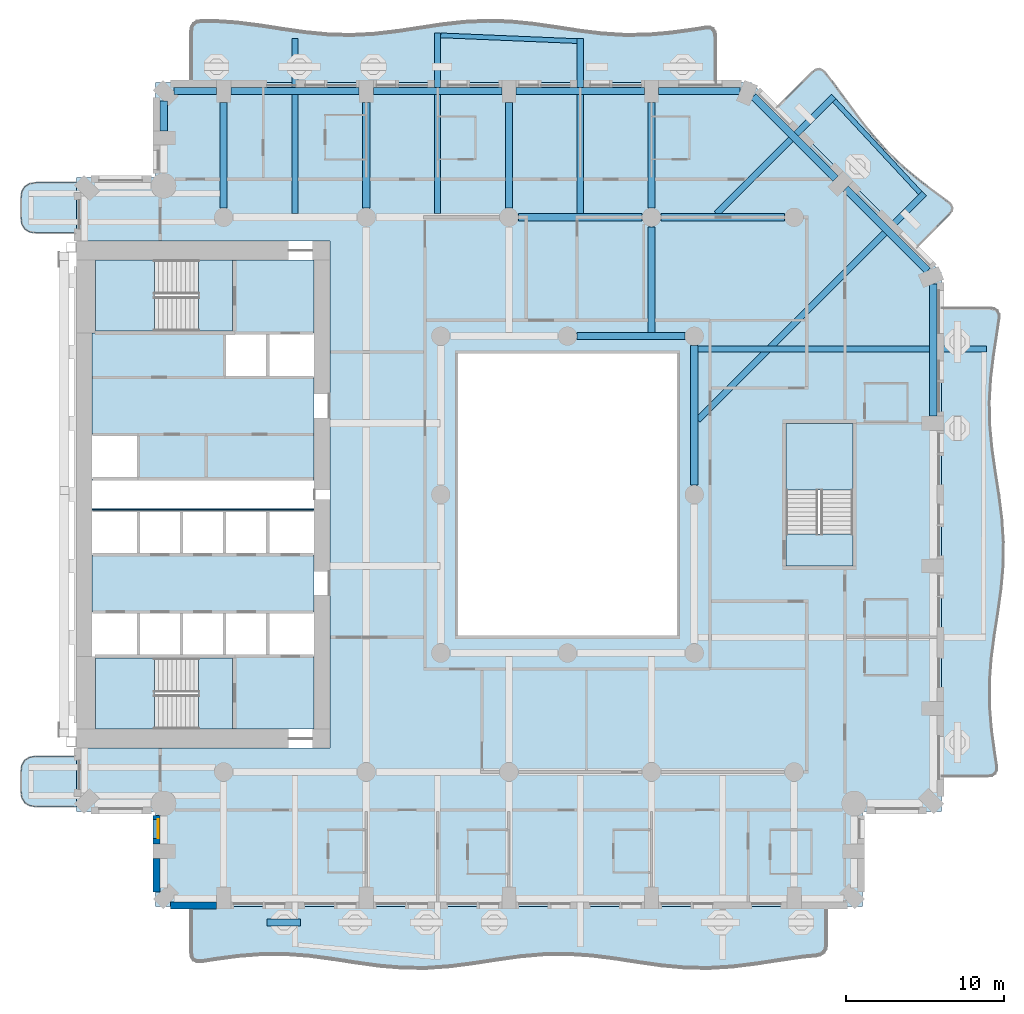
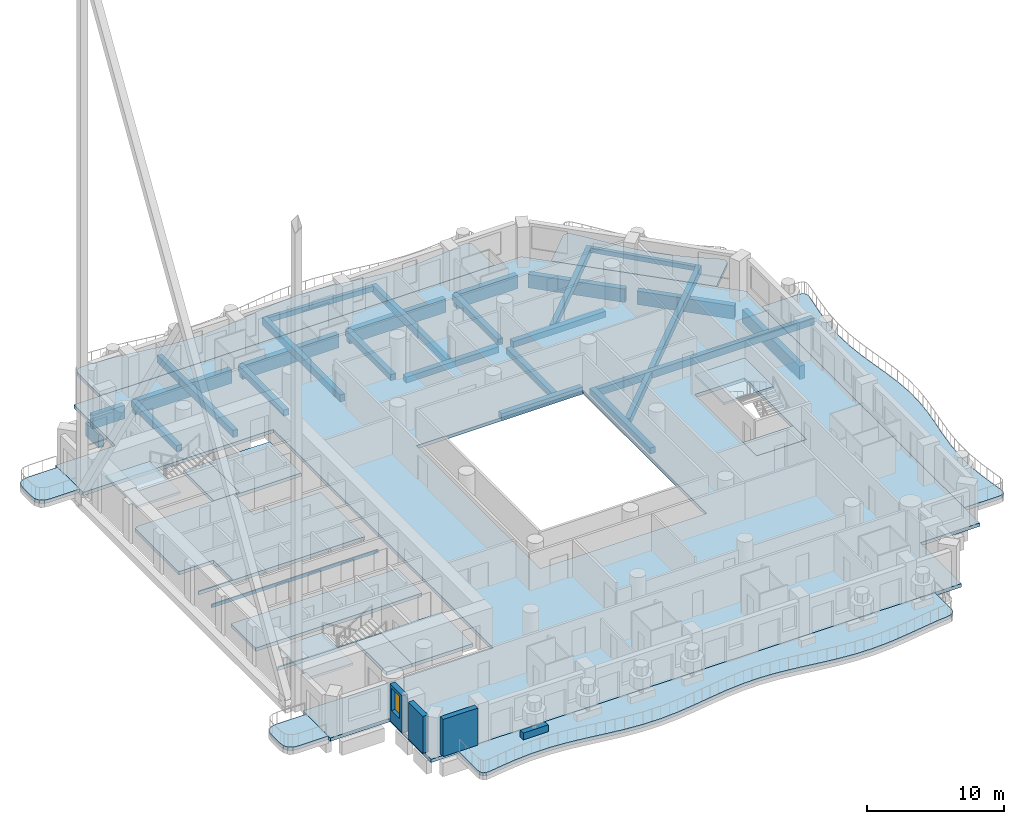
# One storey, part 4 of 24: 26 beams, 17 slabs, 4 walls, 1 window, 1 opening, 3 elements without a shape of their own.
"""IFC4 building model written with IfcOpenShell, lengths in metres."""

from ifc_helpers import new_model, si_unit, direction, frame, frame_2d, origin, origin_2d, place, context, subcontext, project, spatial, polyline, rectangle, outline, extrude, material, layer, layer_set, material_profile, profile_set, type_object, element, fill, aggregate, save


model = new_model("IFC4")

# Units and contexts
model_context = context("Model", 3, precision=1e-05, world=origin(), true_north=direction((0.0, 1.0)))
body_context = subcontext(model_context, "Body", "Model", "MODEL_VIEW")
ifc_project = project(units=[si_unit("LENGTHUNIT", "METRE"), si_unit("AREAUNIT", "SQUARE_METRE"), si_unit("VOLUMEUNIT", "CUBIC_METRE"), si_unit("PLANEANGLEUNIT", "RADIAN"), si_unit("MASSUNIT", "GRAM", prefix="KILO")], contexts=[model_context])

# Site, building, storey
site_placement = place(None, origin())
site = spatial("IfcSite", under=ifc_project, at=site_placement, CompositionType="ELEMENT")
building_placement = place(site_placement, origin())
building = spatial("IfcBuilding", under=site, at=building_placement, Name="Cypress Arch Tower", CompositionType="ELEMENT")
storey_placement = place(building_placement, frame((0.0, 0.0, 102.300048828125)))
storey = spatial("IfcBuildingStorey", under=building, at=storey_placement, Name="L20", CompositionType="ELEMENT", Elevation=102.300048828125)

# Beams
ifc_material_1 = material(Name="Concrete C50/60", Category="concrete")
ifc_material_profile_1 = material_profile(ifc_material_1, rectangle(XDim=0.300048828125, YDim=0.39990234375, at=origin_2d()), Name="RC 300x400")
ifc_profile_set_1 = profile_set([ifc_material_profile_1], Name="Concrete C50/60")
beam_type_1 = type_object("IfcBeamType", Name="Balcony edge beam RC 300x400 Concrete C50/60", PredefinedType="BEAM", material=ifc_profile_set_1)
beam_1_placement = place(storey_placement, frame((23.2587890625, 19.029296875, -0.5), z_axis=(-0.680641499678, 0.732616645263, 0.0), x_axis=(-0.732616645263, -0.680641499678, 0.0)))
element("IfcBeam", 1, at=beam_1_placement, inside=storey, type_object=beam_type_1, Name="Balcony edge beam L20 A07", PredefinedType="BEAM", context=body_context, shape_type="SweptSolid", body=[
    extrude(rectangle(XDim=0.300048828125, YDim=0.39990234375, at=origin_2d()), origin(), (0.0, 0.0, 1.0), 7.966552734375),
])
ifc_material_2 = material(Name="Concrete C50/60", Category="concrete")
ifc_material_profile_2 = material_profile(ifc_material_2, rectangle(XDim=0.300048828125, YDim=0.449951171875, at=origin_2d()), Name="RC 300x450")
ifc_profile_set_2 = profile_set([ifc_material_profile_2], Name="Concrete C50/60")
beam_type_2 = type_object("IfcBeamType", Name="Balcony edge beam RC 300x450 Concrete C50/60", PredefinedType="BEAM", material=ifc_profile_set_2)
beam_2_placement = place(storey_placement, frame((1.60009765625, 28.61865234375, -0.525146484375), z_axis=(-0.999117371021, 0.042005701087, 0.0), x_axis=(-0.042005701087, -0.999117371021, 0.0)))
element("IfcBeam", 2, at=beam_2_placement, inside=storey, type_object=beam_type_2, Name="Balcony edge beam L20 A08", PredefinedType="BEAM", context=body_context, shape_type="SweptSolid", body=[
    extrude(rectangle(XDim=0.300048828125, YDim=0.449951171875, at=origin_2d()), origin(), (0.0, 0.0, 1.0), 8.607666015625),
])
ifc_material_3 = material(Name="Concrete C50/60", Category="concrete")
ifc_material_profile_3 = material_profile(ifc_material_3, rectangle(XDim=0.39990234375, YDim=0.64990234375, at=origin_2d()), Name="RC 400x650")
ifc_profile_set_3 = profile_set([ifc_material_profile_3], Name="Concrete C50/60")
beam_type_3 = type_object("IfcBeamType", Name="Cantilever beam RC 400x650 Concrete C50/60", PredefinedType="BEAM", material=ifc_profile_set_3)
beam_3_placement = place(storey_placement, frame((9.22509765625, 9.18798828125, -0.625), z_axis=(1.0, 0.0, 0.0), x_axis=(0.0, 1.0, 0.0)))
element("IfcBeam", 3, at=beam_3_placement, inside=storey, type_object=beam_type_3, Name="Cantilever beam L20 A06 2", PredefinedType="BEAM", context=body_context, shape_type="SweptSolid", body=[
    extrude(rectangle(XDim=0.39990234375, YDim=0.64990234375, at=origin_2d()), origin(), (0.0, 0.0, 1.0), 18.201416015625),
])
beam_4_placement = place(storey_placement, frame((9.22509765625, 4.712890625, -0.625), z_axis=(0.707100737048, 0.707112825273, 0.0), x_axis=(-0.707112825273, 0.707100737048, 0.0)))
element("IfcBeam", 4, at=beam_4_placement, inside=storey, type_object=beam_type_3, Name="Cantilever beam L20 A07 1", PredefinedType="BEAM", context=body_context, shape_type="SweptSolid", body=[
    extrude(rectangle(XDim=0.39990234375, YDim=0.64990234375, at=origin_2d()), origin(), (0.0, 0.0, 1.0), 20.196533203125),
])
beam_5_placement = place(storey_placement, frame((10.412841796875, 17.72509765625, -0.625), z_axis=(0.707106781187, 0.707106781187, 0.0), x_axis=(-0.707106781187, 0.707106781187, 0.0)))
element("IfcBeam", 5, at=beam_5_placement, inside=storey, type_object=beam_type_3, Name="Cantilever beam L20 A07 2", PredefinedType="BEAM", context=body_context, shape_type="SweptSolid", body=[
    extrude(rectangle(XDim=0.39990234375, YDim=0.64990234375, at=origin_2d()), origin(), (0.0, 0.0, 1.0), 10.448486328125),
])
beam_6_placement = place(storey_placement, frame((1.800048828125, 17.72509765625, -0.625), z_axis=(0.0, 1.0, 0.0), x_axis=(-1.0, 0.0, 0.0)))
element("IfcBeam", 6, at=beam_6_placement, inside=storey, type_object=beam_type_3, Name="Cantilever beam L20 A08 1", PredefinedType="BEAM", context=body_context, shape_type="SweptSolid", body=[
    extrude(rectangle(XDim=0.39990234375, YDim=0.64990234375, at=origin_2d()), origin(), (0.0, 0.0, 1.0), 11.04345703125),
])
beam_7_placement = place(storey_placement, frame((-7.199951171875, 17.72509765625, -0.625), z_axis=(0.0, 1.0, 0.0), x_axis=(-1.0, 0.0, 0.0)))
element("IfcBeam", 7, at=beam_7_placement, inside=storey, type_object=beam_type_3, Name="Cantilever beam L20 A08 2", PredefinedType="BEAM", context=body_context, shape_type="SweptSolid", body=[
    extrude(rectangle(XDim=0.39990234375, YDim=0.64990234375, at=origin_2d()), origin(), (0.0, 0.0, 1.0), 11.4052734375),
])
beam_8_placement = place(storey_placement, frame((-16.199951171875, 17.72509765625, -0.625), z_axis=(0.0, 1.0, 0.0), x_axis=(-1.0, 0.0, 0.0)))
element("IfcBeam", 8, at=beam_8_placement, inside=storey, type_object=beam_type_3, Name="Cantilever beam L20 A08 3", PredefinedType="BEAM", context=body_context, shape_type="SweptSolid", body=[
    extrude(rectangle(XDim=0.39990234375, YDim=0.64990234375, at=origin_2d()), origin(), (0.0, 0.0, 1.0), 11.04736328125),
])
ifc_material_4 = material(Name="Concrete C50/60", Category="concrete")
ifc_material_profile_4 = material_profile(ifc_material_4, rectangle(XDim=0.449951171875, YDim=0.550048828125, at=origin_2d()), Name="RC 450x550")
ifc_profile_set_4 = profile_set([ifc_material_profile_4], Name="Concrete C50/60")
beam_type_4 = type_object("IfcBeamType", Name="Floor beam RC 450x550 Concrete C50/60", PredefinedType="BEAM", material=ifc_profile_set_4)
beam_9_placement = place(storey_placement, frame((9.0, 0.60009765625, -0.574951171875), z_axis=(0.0, 1.0, 0.0), x_axis=(-1.0, 0.0, 0.0)))
element("IfcBeam", 9, at=beam_9_placement, inside=storey, type_object=beam_type_4, Name="Floor beam L20 RB004", PredefinedType="BEAM", context=body_context, shape_type="SweptSolid", body=[
    extrude(rectangle(XDim=0.449951171875, YDim=0.550048828125, at=origin_2d()), origin(), (0.0, 0.0, 1.0), 8.7998046875),
])
beam_10_placement = place(storey_placement, frame((1.60009765625, 10.0, -0.574951171875), z_axis=(1.0, 0.0, 0.0), x_axis=(0.0, 1.0, 0.0)))
element("IfcBeam", 10, at=beam_10_placement, inside=storey, type_object=beam_type_4, Name="Floor beam L20 RB008", PredefinedType="BEAM", context=body_context, shape_type="SweptSolid", body=[
    extrude(rectangle(XDim=0.449951171875, YDim=0.550048828125, at=origin_2d()), origin(), (0.0, 0.0, 1.0), 6.7998046875),
])
for number, where, z_axis, x_axis, name in (
    (11, (-2.10009765625, 17.5, -0.574951171875), (1.0, 0.0, 0.0), (0.0, 1.0, 0.0), "Floor beam L20 FB017"),
    (12, (6.89990234375, 17.5, -0.574951171875), (1.0, 0.0, 0.0), (0.0, 1.0, 0.0), "Floor beam L20 FB018"),
):
    element("IfcBeam", number, at=place(storey_placement, frame(where, z_axis=z_axis, x_axis=x_axis)), inside=storey, type_object=beam_type_4, Name=name, PredefinedType="BEAM", context=body_context, shape_type="SweptSolid", body=[
        extrude(rectangle(XDim=0.449951171875, YDim=0.550048828125, at=origin_2d()), origin(), (0.0, 0.0, 1.0), 7.800048828125),
    ])
for number, where, z_axis, x_axis, name in (
    (13, (-20.699951171875, 18.10009765625, -0.574951171875), (0.0, 1.0, 0.0), (-1.0, 0.0, 0.0), "Floor beam L20 FB020"),
    (14, (-11.699951171875, 18.10009765625, -0.574951171875), (0.0, 1.0, 0.0), (-1.0, 0.0, 0.0), "Floor beam L20 FB025"),
    (15, (-2.699951171875, 18.10009765625, -0.574951171875), (0.0, 1.0, 0.0), (-1.0, 0.0, 0.0), "Floor beam L20 FB029"),
):
    element("IfcBeam", number, at=place(storey_placement, frame(where, z_axis=z_axis, x_axis=x_axis)), inside=storey, type_object=beam_type_4, Name=name, PredefinedType="BEAM", context=body_context, shape_type="SweptSolid", body=[
        extrude(rectangle(XDim=0.449951171875, YDim=0.550048828125, at=origin_2d()), origin(), (0.0, 0.0, 1.0), 6.64990234375),
    ])
beam_11_placement = place(storey_placement, frame((6.300048828125, 10.22509765625, -0.574951171875), z_axis=(0.0, 1.0, 0.0), x_axis=(-1.0, 0.0, 0.0)))
element("IfcBeam", 16, at=beam_11_placement, inside=storey, type_object=beam_type_4, Name="Floor beam L20 FB032", PredefinedType="BEAM", context=body_context, shape_type="SweptSolid", body=[
    extrude(rectangle(XDim=0.449951171875, YDim=0.550048828125, at=origin_2d()), origin(), (0.0, 0.0, 1.0), 6.6748046875),
])
beam_12_placement = place(storey_placement, frame((6.300048828125, 18.10009765625, -0.574951171875), z_axis=(0.0, 1.0, 0.0), x_axis=(-1.0, 0.0, 0.0)))
element("IfcBeam", 17, at=beam_12_placement, inside=storey, type_object=beam_type_4, Name="Floor beam L20 FB033", PredefinedType="BEAM", context=body_context, shape_type="SweptSolid", body=[
    extrude(rectangle(XDim=0.449951171875, YDim=0.550048828125, at=origin_2d()), origin(), (0.0, 0.0, 1.0), 6.64990234375),
])
ifc_material_5 = material(Name="Concrete C50/60", Category="concrete")
ifc_material_profile_5 = material_profile(ifc_material_5, rectangle(XDim=0.449951171875, YDim=1.199951171875, at=origin_2d()), Name="RC 450x1200")
ifc_profile_set_5 = profile_set([ifc_material_profile_5], Name="Concrete C50/60")
beam_type_5 = type_object("IfcBeamType", Name="Spandrel beam RC 450x1200 Concrete C50/60", PredefinedType="SPANDREL", material=ifc_profile_set_5)
beam_13_placement = place(storey_placement, frame((24.074951171875, 4.949951171875, -1.550048828125), z_axis=(0.0, 1.0, 0.0), x_axis=(-1.0, 0.0, 0.0)))
element("IfcBeam", 18, at=beam_13_placement, inside=storey, type_object=beam_type_5, Name="Spandrel beam L20 BA06-3", PredefinedType="SPANDREL", context=body_context, shape_type="SweptSolid", body=[
    extrude(rectangle(XDim=0.449951171875, YDim=1.199951171875, at=origin_2d()), origin(), (0.0, 0.0, 1.0), 8.345458984375),
])
for number, where, z_axis, x_axis, name in (
    (19, (23.73046875, 14.126953125, -1.550048828125), (-0.707106781187, 0.707106781187, 0.0), (-0.707106781187, -0.707106781187, 0.0), "Spandrel beam L20 BA07-0"),
    (20, (17.91064453125, 19.947021484375, -1.550048828125), (-0.707106781187, 0.707106781187, 0.0), (-0.707106781187, -0.707106781187, 0.0), "Spandrel beam L20 BA07-1"),
):
    element("IfcBeam", number, at=place(storey_placement, frame(where, z_axis=z_axis, x_axis=x_axis)), inside=storey, type_object=beam_type_5, Name=name, PredefinedType="SPANDREL", context=body_context, shape_type="SweptSolid", body=[
        extrude(rectangle(XDim=0.449951171875, YDim=1.199951171875, at=origin_2d()), origin(), (0.0, 0.0, 1.0), 7.330810546875),
    ])
beam_14_placement = place(storey_placement, frame((11.8955078125, 25.47509765625, -1.550048828125), z_axis=(-1.0, 0.0, 0.0), x_axis=(0.0, -1.0, 0.0)))
element("IfcBeam", 21, at=beam_14_placement, inside=storey, type_object=beam_type_5, Name="Spandrel beam L20 BA08-0", PredefinedType="SPANDREL", context=body_context, shape_type="SweptSolid", body=[
    extrude(rectangle(XDim=0.449951171875, YDim=1.199951171875, at=origin_2d()), origin(), (0.0, 0.0, 1.0), 5.1455078125),
])
for number, where, z_axis, x_axis, name in (
    (22, (5.85009765625, 25.47509765625, -1.550048828125), (-1.0, 0.0, 0.0), (0.0, -1.0, 0.0), "Spandrel beam L20 BA08-1"),
    (23, (-3.14990234375, 25.47509765625, -1.550048828125), (-1.0, 0.0, 0.0), (0.0, -1.0, 0.0), "Spandrel beam L20 BA08-2"),
    (24, (-12.14990234375, 25.47509765625, -1.550048828125), (-1.0, 0.0, 0.0), (0.0, -1.0, 0.0), "Spandrel beam L20 BA08-3"),
):
    element("IfcBeam", number, at=place(storey_placement, frame(where, z_axis=z_axis, x_axis=x_axis)), inside=storey, type_object=beam_type_5, Name=name, PredefinedType="SPANDREL", context=body_context, shape_type="SweptSolid", body=[
        extrude(rectangle(XDim=0.449951171875, YDim=1.199951171875, at=origin_2d()), origin(), (0.0, 0.0, 1.0), 8.10009765625),
    ])
beam_15_placement = place(storey_placement, frame((-21.14990234375, 25.47509765625, -1.550048828125), z_axis=(-1.0, 0.0, 0.0), x_axis=(0.0, -1.0, 0.0)))
element("IfcBeam", 25, at=beam_15_placement, inside=storey, type_object=beam_type_5, Name="Spandrel beam L20 BA08-4", PredefinedType="SPANDREL", context=body_context, shape_type="SweptSolid", body=[
    extrude(rectangle(XDim=0.449951171875, YDim=1.199951171875, at=origin_2d()), origin(), (0.0, 0.0, 1.0), 2.688720703125),
])
beam_16_placement = place(storey_placement, frame((-24.47509765625, 24.838623046875, -1.550048828125), z_axis=(0.0, -1.0, 0.0), x_axis=(1.0, 0.0, 0.0)))
element("IfcBeam", 26, at=beam_16_placement, inside=storey, type_object=beam_type_5, Name="Spandrel beam L20 BA09-0", PredefinedType="SPANDREL", context=body_context, shape_type="SweptSolid", body=[
    extrude(rectangle(XDim=0.449951171875, YDim=1.199951171875, at=origin_2d()), origin(), (0.0, 0.0, 1.0), 1.888671875),
])

# Slabs
ifc_material_6 = material(Name="Concrete C40/50", Category="concrete")
ifc_layer_1 = layer(ifc_material_6, 0.300048828125)
ifc_layer_set_1 = layer_set([ifc_layer_1], Name="Balcony slab BS300")
slab_type_1 = type_object("IfcSlabType", Name="Balcony slab BS300", PredefinedType="USERDEFINED", material=ifc_layer_set_1)
slab_1_placement = place(storey_placement, frame((0.0, 0.0, -0.300048828125)))
element("IfcSlab", 27, at=slab_1_placement, inside=storey, type_object=slab_type_1, Name="Balcony slab L20-A00W0", ObjectType="BALCONY SLAB", PredefinedType="USERDEFINED", context=body_context, shape_type="SweptSolid", body=[
    extrude(outline(polyline([(-30.0, 19.699951171875), (-32.5, 19.699951171875), (-32.9375, 19.637451171875), (-33.25, 19.449951171875), (-33.4375, 19.137451171875), (-33.5, 18.699951171875), (-33.5, 17.5), (-33.4375, 17.0625), (-33.25, 16.75), (-32.9375, 16.5625), (-32.5, 16.5), (-30.0, 16.5), (-30.0, 19.699951171875)])), origin(), (0.0, 0.0, 1.0), 0.300048828125),
])
slab_2_placement = place(storey_placement, frame((0.0, 0.0, -0.300048828125)))
element("IfcSlab", 28, at=slab_2_placement, inside=storey, type_object=slab_type_1, Name="Balcony slab L20-A00W1", ObjectType="BALCONY SLAB", PredefinedType="USERDEFINED", context=body_context, shape_type="SweptSolid", body=[
    extrude(outline(polyline([(-30.0, -16.5), (-32.5, -16.5), (-32.9375, -16.5625), (-33.25, -16.75), (-33.4375, -17.0625), (-33.5, -17.5), (-33.5, -18.699951171875), (-33.4375, -19.137451171875), (-33.25, -19.449951171875), (-32.9375, -19.637451171875), (-32.5, -19.699951171875), (-30.0, -19.699951171875), (-30.0, -16.5)])), origin(), (0.0, 0.0, 1.0), 0.300048828125),
])
slab_3_placement = place(storey_placement, frame((0.0, 0.0, -0.300048828125)))
element("IfcSlab", 29, at=slab_3_placement, inside=storey, type_object=slab_type_1, Name="Balcony slab L20-A03", ObjectType="BALCONY SLAB", PredefinedType="USERDEFINED", context=body_context, shape_type="SweptSolid", body=[
    extrude(outline(polyline([(-22.75, -26.0), (-22.75, -28.89013671875), (-22.708251953125, -29.179443359375), (-22.5830078125, -29.371337890625), (-22.3740234375, -29.4658203125), (-22.081787109375, -29.462646484375), (-21.264892578125, -29.335693359375), (-19.779541015625, -29.135009765625), (-18.29443359375, -29.01708984375), (-16.809326171875, -29.012939453125), (-15.323974609375, -29.123779296875), (-13.8388671875, -29.320068359375), (-12.353759765625, -29.55078125), (-10.868408203125, -29.7548828125), (-9.38330078125, -29.878662109375), (-7.898193359375, -29.89013671875), (-6.412841796875, -29.785888671875), (-4.927734375, -29.59326171875), (-3.442626953125, -29.363037109375), (-1.95751953125, -29.15576171875), (-0.47216796875, -29.025634765625), (1.012939453125, -29.007080078125), (2.498046875, -29.10498046875), (3.9833984375, -29.293701171875), (5.468505859375, -29.523193359375), (6.95361328125, -29.733642578125), (8.43896484375, -29.869384765625), (9.924072265625, -29.89501953125), (11.4091796875, -29.8037109375), (12.89453125, -29.619384765625), (14.379638671875, -29.390625), (15.86474609375, -29.17724609375), (16.681640625, -29.099365234375), (16.97412109375, -29.029541015625), (17.182861328125, -28.8837890625), (17.308349609375, -28.662109375), (17.35009765625, -28.364501953125), (17.35009765625, -26.0), (-22.75, -26.0)])), origin(), (0.0, 0.0, 1.0), 0.300048828125),
])
slab_4_placement = place(storey_placement, frame((0.0, 0.0, -0.300048828125)))
element("IfcSlab", 30, at=slab_4_placement, inside=storey, type_object=slab_type_1, Name="Balcony slab L20-A06", ObjectType="BALCONY SLAB", PredefinedType="USERDEFINED", context=body_context, shape_type="SweptSolid", body=[
    extrude(outline(polyline([(24.60009765625, -17.75), (27.494873046875, -17.75), (27.7822265625, -17.70849609375), (27.97265625, -17.583984375), (28.06640625, -17.376708984375), (28.0634765625, -17.086181640625), (27.937255859375, -16.27490234375), (27.7373046875, -14.800048828125), (27.61865234375, -13.324951171875), (27.611572265625, -11.85009765625), (27.71826171875, -10.375), (27.910888671875, -8.89990234375), (28.1396484375, -7.425048828125), (28.34521484375, -5.949951171875), (28.47412109375, -4.47509765625), (28.4931640625, -3.0), (28.397216796875, -1.52490234375), (28.211181640625, -0.050048828125), (27.9833984375, 1.425048828125), (27.77294921875, 2.89990234375), (27.63427734375, 4.375), (27.603271484375, 5.85009765625), (27.688232421875, 7.324951171875), (27.866943359375, 8.800048828125), (28.093017578125, 10.27490234375), (28.21142578125, 11.086181640625), (28.211669921875, 11.376708984375), (28.1162109375, 11.583984375), (27.9248046875, 11.70849609375), (27.637451171875, 11.75), (24.60009765625, 11.75), (24.60009765625, -17.75)])), origin(), (0.0, 0.0, 1.0), 0.300048828125),
])
slab_5_placement = place(storey_placement, frame((0.0, 0.0, -0.300048828125)))
element("IfcSlab", 31, at=slab_5_placement, inside=storey, type_object=slab_type_1, Name="Balcony slab L20-A07", ObjectType="BALCONY SLAB", PredefinedType="USERDEFINED", context=body_context, shape_type="SweptSolid", body=[
    extrude(outline(polyline([(23.009033203125, 15.591064453125), (25.084716796875, 17.666748046875), (25.248046875, 17.88525390625), (25.2919921875, 18.094482421875), (25.21630859375, 18.29443359375), (25.021484375, 18.485107421875), (24.398681640625, 18.940185546875), (23.28271484375, 19.78369140625), (22.2138671875, 20.674560546875), (21.212890625, 21.633056640625), (20.284423828125, 22.664306640625), (19.4169921875, 23.75634765625), (18.58447265625, 24.88330078125), (17.753173828125, 26.01171875), (17.278076171875, 26.6142578125), (17.080322265625, 26.80224609375), (16.87548828125, 26.873046875), (16.663818359375, 26.82666015625), (16.4453125, 26.663330078125), (14.19091796875, 24.408935546875), (23.009033203125, 15.591064453125)])), origin(), (0.0, 0.0, 1.0), 0.300048828125),
])
slab_6_placement = place(storey_placement, frame((0.0, 0.0, -0.300048828125)))
element("IfcSlab", 32, at=slab_6_placement, inside=storey, type_object=slab_type_1, Name="Balcony slab L20-A08", ObjectType="BALCONY SLAB", PredefinedType="USERDEFINED", context=body_context, shape_type="SweptSolid", body=[
    extrude(outline(polyline([(10.35009765625, 26.0), (10.35009765625, 28.9111328125), (10.3095703125, 29.19140625), (10.18798828125, 29.37744140625), (9.98583984375, 29.468994140625), (9.702392578125, 29.4658203125), (8.910888671875, 29.3427734375), (7.4716796875, 29.1455078125), (6.03271484375, 29.023681640625), (4.593505859375, 29.007080078125), (3.154296875, 29.099853515625), (1.71533203125, 29.279296875), (0.276123046875, 29.500732421875), (-1.1630859375, 29.709716796875), (-2.602294921875, 29.8544921875), (-4.041259765625, 29.8994140625), (-5.48046875, 29.833251953125), (-6.919677734375, 29.67236328125), (-8.358642578125, 29.45654296875), (-9.7978515625, 29.239013671875), (-11.237060546875, 29.07373046875), (-12.676025390625, 29.00146484375), (-14.115234375, 29.039794921875), (-15.554443359375, 29.1796875), (-16.993408203125, 29.386474609375), (-18.4326171875, 29.608642578125), (-19.871826171875, 29.791748046875), (-21.310791015625, 29.890625), (-22.102294921875, 29.885009765625), (-22.3857421875, 29.842529296875), (-22.588134765625, 29.719482421875), (-22.70947265625, 29.516357421875), (-22.75, 29.232666015625), (-22.75, 26.0), (10.35009765625, 26.0)])), origin(), (0.0, 0.0, 1.0), 0.300048828125),
])
ifc_material_7 = material(Name="Concrete C40/50", Category="concrete")
ifc_layer_2 = layer(ifc_material_7, 0.300048828125)
ifc_layer_set_2 = layer_set([ifc_layer_2], Name="Core floor CF300")
slab_type_2 = type_object("IfcSlabType", Name="Core floor CF300", PredefinedType="FLOOR", material=ifc_layer_set_2)
slab_7_placement = place(storey_placement, frame((0.0, 0.0, -0.300048828125)))
element("IfcSlab", 33, at=slab_7_placement, inside=storey, type_object=slab_type_2, Name="Core floor", PredefinedType="FLOOR", context=body_context, shape_type="SweptSolid", body=[
    extrude(outline(polyline([(-20.125, -14.800048828125), (-15.0, -14.800048828125), (-15.0, -10.199951171875), (-17.919921875, -10.199951171875), (-20.639892578125, -10.199951171875), (-23.360107421875, -10.199951171875), (-26.080078125, -10.199951171875), (-28.800048828125, -10.199951171875), (-28.800048828125, -10.324951171875), (-22.27490234375, -10.324951171875), (-20.125, -10.324951171875), (-20.125, -14.800048828125)])), origin(), (0.0, 0.0, 1.0), 0.300048828125),
])
slab_8_placement = place(storey_placement, frame((0.0, 0.0, -0.300048828125)))
element("IfcSlab", 34, at=slab_8_placement, inside=storey, type_object=slab_type_2, Name="Core floor", PredefinedType="FLOOR", context=body_context, shape_type="SweptSolid", body=[
    extrude(outline(polyline([(-29.0, -3.800048828125), (-29.0, -7.39990234375), (-26.080078125, -7.39990234375), (-23.360107421875, -7.39990234375), (-20.639892578125, -7.39990234375), (-17.919921875, -7.39990234375), (-15.0, -7.39990234375), (-15.0, -3.800048828125), (-17.919921875, -3.800048828125), (-20.639892578125, -3.800048828125), (-23.360107421875, -3.800048828125), (-26.080078125, -3.800048828125), (-29.0, -3.800048828125)])), origin(), (0.0, 0.0, 1.0), 0.300048828125),
])
slab_9_placement = place(storey_placement, frame((0.0, 0.0, -0.300048828125)))
element("IfcSlab", 35, at=slab_9_placement, inside=storey, type_object=slab_type_2, Name="Core floor", PredefinedType="FLOOR", context=body_context, shape_type="SweptSolid", body=[
    extrude(outline(polyline([(-29.0, 3.800048828125), (-29.0, 10.199951171875), (-28.800048828125, 10.199951171875), (-28.800048828125, 10.324951171875), (-28.60009765625, 10.324951171875), (-22.27490234375, 10.324951171875), (-20.125, 10.324951171875), (-20.125, 14.800048828125), (-15.39990234375, 14.800048828125), (-15.0, 14.800048828125), (-15.0, 10.199951171875), (-15.39990234375, 10.199951171875), (-17.919921875, 10.199951171875), (-20.639892578125, 10.199951171875), (-20.639892578125, 7.39990234375), (-17.919921875, 7.39990234375), (-15.39990234375, 7.39990234375), (-15.0, 7.39990234375), (-15.0, 0.89990234375), (-28.60009765625, 0.89990234375), (-29.0, 0.89990234375), (-29.0, 1.0), (-28.60009765625, 1.0), (-26.080078125, 1.0), (-26.080078125, 3.800048828125), (-28.60009765625, 3.800048828125), (-29.0, 3.800048828125)])), origin(), (0.0, 0.0, 1.0), 0.300048828125),
])
slab_10_placement = place(storey_placement, frame((0.0, 0.0, -0.300048828125)))
element("IfcSlab", 36, at=slab_10_placement, inside=storey, type_object=slab_type_2, Name="Core floor", PredefinedType="FLOOR", context=body_context, shape_type="SweptSolid", body=[
    extrude(outline(polyline([(-22.27490234375, -10.324951171875), (-22.27490234375, -14.800048828125), (-20.125, -14.800048828125), (-20.125, -10.324951171875), (-22.27490234375, -10.324951171875)])), origin(), (0.0, 0.0, 1.0), 0.300048828125),
])
slab_11_placement = place(storey_placement, frame((0.0, 0.0, -0.300048828125)))
element("IfcSlab", 37, at=slab_11_placement, inside=storey, type_object=slab_type_2, Name="Core floor", PredefinedType="FLOOR", context=body_context, shape_type="SweptSolid", body=[
    extrude(outline(polyline([(-20.125, 14.800048828125), (-22.27490234375, 14.800048828125), (-22.27490234375, 10.324951171875), (-20.125, 10.324951171875), (-20.125, 14.800048828125)])), origin(), (0.0, 0.0, 1.0), 0.300048828125),
])
slab_12_placement = place(storey_placement, frame((0.0, 0.0, -0.300048828125)))
element("IfcSlab", 38, at=slab_12_placement, inside=storey, type_object=slab_type_2, Name="Stair floor landing", PredefinedType="FLOOR", context=body_context, shape_type="SweptSolid", body=[
    extrude(outline(polyline([(19.0, -4.5), (19.0, -2.5), (14.800048828125, -2.5), (14.800048828125, -4.5), (19.0, -4.5)])), origin(), (0.0, 0.0, 1.0), 0.300048828125),
])
slab_13_placement = place(storey_placement, frame((0.0, 0.0, -0.300048828125)))
element("IfcSlab", 39, at=slab_13_placement, inside=storey, type_object=slab_type_2, Name="Core floor", PredefinedType="FLOOR", context=body_context, shape_type="SweptSolid", body=[
    extrude(outline(polyline([(-20.639892578125, -1.0), (-23.360107421875, -1.0), (-26.080078125, -1.0), (-28.60009765625, -1.0), (-29.0, -1.0), (-29.0, -0.89990234375), (-28.60009765625, -0.89990234375), (-15.39990234375, -0.89990234375), (-15.0, -0.89990234375), (-15.0, -1.0), (-15.39990234375, -1.0), (-17.919921875, -1.0), (-20.639892578125, -1.0)])), origin(), (0.0, 0.0, 1.0), 0.300048828125),
])
ifc_material_8 = material(Name="Concrete C40/50", Category="concrete")
ifc_layer_3 = layer(ifc_material_8, 0.300048828125)
ifc_layer_set_3 = layer_set([ifc_layer_3], Name="PT flat slab 300 Concrete C40/50")
slab_type_3 = type_object("IfcSlabType", Name="PT flat slab 300 Concrete C40/50", PredefinedType="FLOOR", material=ifc_layer_set_3)
slab_14_placement = place(storey_placement, frame((0.0, 0.0, -0.300048828125)))
element("IfcSlab", 40, at=slab_14_placement, inside=storey, type_object=slab_type_3, Name="Floor slab L20", PredefinedType="FLOOR", context=body_context, shape_type="SweptSolid", body=[
    extrude(outline(polyline([(-30.0, 20.0), (-25.0, 20.0), (-25.0, 26.0), (12.60009765625, 26.0), (24.60009765625, 14.0), (24.60009765625, -20.0), (19.60009765625, -20.0), (19.60009765625, -26.0), (-25.0, -26.0), (-25.0, -20.0), (-30.0, -20.0), (-30.0, -16.0), (-14.0, -16.0), (-14.0, 16.0), (-30.0, 16.0), (-30.0, 20.0)]), holes=[polyline([(-6.0, -9.0), (8.0, -9.0), (8.0, 9.0), (-6.0, 9.0), (-6.0, -9.0)]), polyline([(14.800048828125, -4.5), (19.0, -4.5), (19.0, 4.5), (14.800048828125, 4.5), (14.800048828125, -4.5)])]), origin(), (0.0, 0.0, 1.0), 0.300048828125),
])

# Stair, slab
ifc_material_9 = material(Name="Concrete C40/50", Category="concrete")
stair_type_1 = type_object("IfcStairType", Name="Exit stair ES1636-215", PredefinedType="HALF_TURN_STAIR", material=ifc_material_9)
stair_1_placement = place(storey_placement, origin())
stair_1 = element("IfcStair", 41, at=stair_1_placement, inside=storey, type_object=stair_type_1, Name="L20 Exit stair A", PredefinedType="HALF_TURN_STAIR")
ifc_material_10 = material(Name="Concrete C40/50", Category="concrete")
ifc_layer_4 = layer(ifc_material_10, 0.199951171875)
ifc_layer_set_4 = layer_set([ifc_layer_4], Name="Stair landing SL200")
slab_type_4 = type_object("IfcSlabType", Name="Stair landing SL200", PredefinedType="LANDING", material=ifc_layer_set_4)
slab_15_placement = place(storey_placement, frame((0.0, 0.0, 1.599853515625)))
slab_15 = element("IfcSlab", 42, at=slab_15_placement, type_object=slab_type_4, Name="A landing 1", PredefinedType="LANDING", context=body_context, shape_type="SweptSolid", body=[
    extrude(outline(polyline([(-25.074951171875, -10.324951171875), (-28.800048828125, -10.324951171875), (-28.800048828125, -14.800048828125), (-25.074951171875, -14.800048828125), (-25.074951171875, -10.324951171875)])), origin(), (0.0, 0.0, 1.0), 0.2001953125),
])
aggregate(stair_1, [slab_15])

stair_2_placement = place(storey_placement, origin())
stair_2 = element("IfcStair", 43, at=stair_2_placement, inside=storey, type_object=stair_type_1, Name="L20 Exit stair B", PredefinedType="HALF_TURN_STAIR")
slab_16_placement = place(storey_placement, frame((0.0, 0.0, 1.599853515625)))
slab_16 = element("IfcSlab", 44, at=slab_16_placement, type_object=slab_type_4, Name="B landing 1", PredefinedType="LANDING", context=body_context, shape_type="SweptSolid", body=[
    extrude(outline(polyline([(-25.074951171875, 14.800048828125), (-28.800048828125, 14.800048828125), (-28.800048828125, 10.324951171875), (-25.074951171875, 10.324951171875), (-25.074951171875, 14.800048828125)])), origin(), (0.0, 0.0, 1.0), 0.2001953125),
])
aggregate(stair_2, [slab_16])

ifc_material_11 = material(Name="Concrete C40/50", Category="concrete")
stair_type_2 = type_object("IfcStairType", Name="Exit stair ES1636-200", PredefinedType="HALF_TURN_STAIR", material=ifc_material_11)
stair_3_placement = place(storey_placement, origin())
stair_3 = element("IfcStair", 45, at=stair_3_placement, inside=storey, type_object=stair_type_2, Name="L20 Exit stair C", PredefinedType="HALF_TURN_STAIR")
slab_17_placement = place(storey_placement, frame((0.0, 0.0, 1.599853515625)))
slab_17 = element("IfcSlab", 46, at=slab_17_placement, type_object=slab_type_4, Name="C landing 1", PredefinedType="LANDING", context=body_context, shape_type="SweptSolid", body=[
    extrude(outline(polyline([(19.0, 0.300048828125), (19.0, 4.5), (14.800048828125, 4.5), (14.800048828125, 0.300048828125), (19.0, 0.300048828125)])), origin(), (0.0, 0.0, 1.0), 0.2001953125),
])
aggregate(stair_3, [slab_17])

# Wall
ifc_material_12 = material(Name="Concrete C40/50, waterproofed", Category="concrete")
ifc_layer_5 = layer(ifc_material_12, 0.449951171875)
ifc_layer_set_5 = layer_set([ifc_layer_5], Name="Balcony planter wall PW450")
wall_type_1 = type_object("IfcWallType", Name="Balcony planter wall PW450", PredefinedType="SOLIDWALL", material=ifc_layer_set_5)
wall_1_placement = place(storey_placement, frame((-17.949951171875, -27.0, 0.0), z_axis=(0.0, 0.0, 1.0), x_axis=(1.0, 0.0, 0.0)))
element("IfcWall", 47, at=wall_1_placement, inside=storey, type_object=wall_type_1, Name="Balcony planter wall L20-A03.1", PredefinedType="SOLIDWALL", context=body_context, shape_type="SweptSolid", body=[
    extrude(rectangle(XDim=2.099853515625, YDim=0.449951171875, at=frame_2d((1.0498046875, 0.0))), origin(), (0.0, 0.0, 1.0), 0.599853515625),
])

# Wall, opening, window
ifc_material_13 = material(Name="Brick (red buff blend)", Category="masonry")
ifc_layer_6 = layer(ifc_material_13, 0.449951171875)
ifc_layer_set_6 = layer_set([ifc_layer_6], Name="Brick pier and spandrel wall BW450")
wall_type_2 = type_object("IfcWallType", Name="Brick pier and spandrel wall BW450", PredefinedType="SOLIDWALL", material=ifc_layer_set_6)
wall_2_placement = place(storey_placement, frame((-24.925048828125, -20.258544921875, 0.0), z_axis=(0.0, 0.0, 1.0), x_axis=(0.0, -1.0, 0.0)))
wall_2 = element("IfcWall", 48, at=wall_2_placement, inside=storey, type_object=wall_type_2, Name="Brick wall L20 A02.0", PredefinedType="SOLIDWALL", context=body_context, shape_type="SweptSolid", body=[
    extrude(rectangle(XDim=1.79150390625, YDim=0.449951171875, at=frame_2d((0.895751953125, 0.0))), origin(), (0.0, 0.0, 1.0), 3.300048828125),
])
opening_placement = place(wall_2_placement, frame((0.241455078125, 0.0, 1.050048828125)))
opening = element("IfcOpeningElement", 49, at=opening_placement, cuts=wall_2, Name="Opening W120H", PredefinedType="OPENING", context=body_context, shape_type="SweptSolid", body=[
    extrude(rectangle(XDim=1.199951171875, YDim=2.0, at=frame_2d((0.60009765625, 1.0))), frame((0.0, 0.23486328125, 0.0), z_axis=(0.0, -1.0, 0.0), x_axis=(1.0, 0.0, 0.0)), (0.0, 0.0, 1.0), 0.469970703125),
])
ifc_material_14 = material(Name="Anodised aluminium, bronze finish, clear low-emissivity double glazing", Category="aluminium")
window_type = type_object("IfcWindowType", Name="Window Hotel 1200x2000", PartitioningType="SINGLE_PANEL", PredefinedType="WINDOW", material=ifc_material_14)
window_placement = place(opening_placement, origin())
window = element("IfcWindow", 50, at=window_placement, inside=storey, type_object=window_type, Name="Window L20 A02.0.1", OverallHeight=2.0, OverallWidth=1.199951171875, PartitioningType="SINGLE_PANEL", PredefinedType="WINDOW", context=body_context, shape_type="SweptSolid", body=[
    extrude(rectangle(XDim=1.199951171875, YDim=2.0, at=frame_2d((0.60009765625, 1.0))), frame((0.0, 0.135009765625, 0.0), z_axis=(0.0, -1.0, 0.0), x_axis=(1.0, 0.0, 0.0)), (0.0, 0.0, 1.0), 0.06005859375),
])
fill(opening, window)

# Walls
wall_3_placement = place(storey_placement, frame((-24.925048828125, -22.949951171875, 0.0), z_axis=(0.0, 0.0, 1.0), x_axis=(0.0, -1.0, 0.0)))
element("IfcWall", 51, at=wall_3_placement, inside=storey, type_object=wall_type_2, Name="Brick wall L20 A02.1", PredefinedType="SOLIDWALL", context=body_context, shape_type="SweptSolid", body=[
    extrude(rectangle(XDim=2.11376953125, YDim=0.449951171875, at=frame_2d((1.056884765625, 0.0))), origin(), (0.0, 0.0, 1.0), 3.300048828125),
])
wall_4_placement = place(storey_placement, frame((-24.063720703125, -25.925048828125, 0.0), z_axis=(0.0, 0.0, 1.0), x_axis=(1.0, 0.0, 0.0)))
element("IfcWall", 52, at=wall_4_placement, inside=storey, type_object=wall_type_2, Name="Brick wall L20 A03.0", PredefinedType="SOLIDWALL", context=body_context, shape_type="SweptSolid", body=[
    extrude(rectangle(XDim=2.913818359375, YDim=0.449951171875, at=frame_2d((1.45703125, 0.0))), origin(), (0.0, 0.0, 1.0), 3.300048828125),
])

save(model, "model.ifc")
